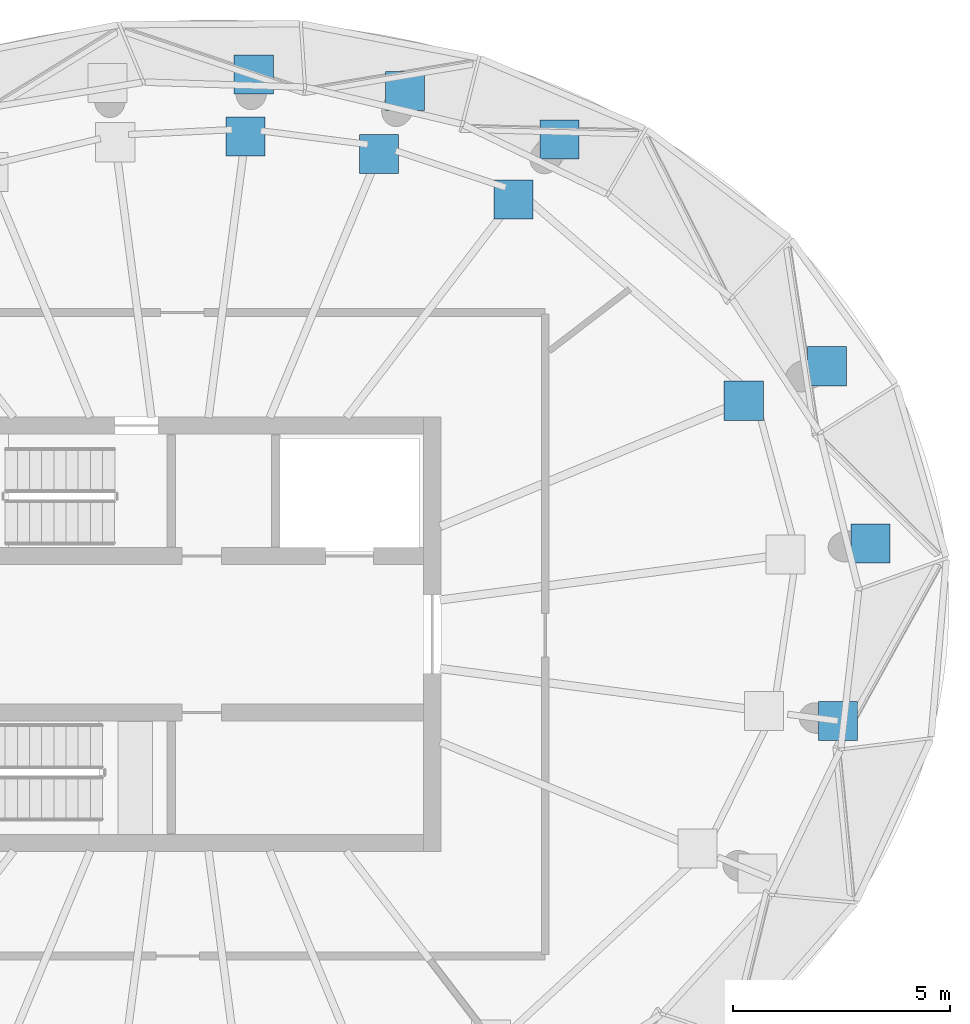
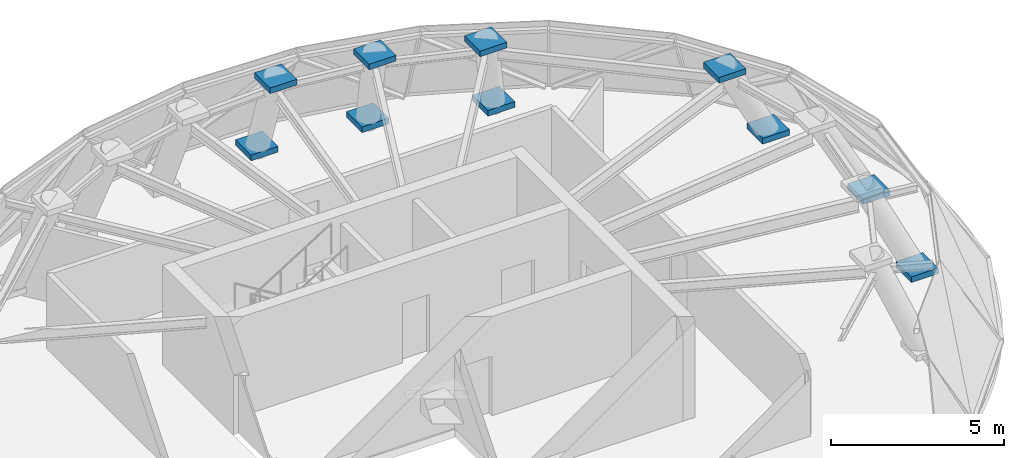
# One storey, part 8 of 9: 10 discrete accessories.
"""IFC4 building model written with IfcOpenShell, lengths in metres."""

from ifc_helpers import new_model, si_unit, direction, frame, origin, origin_2d, place, context, subcontext, project, spatial, rectangle, extrude, source, transform, mapped, material, layer, layer_set, type_object, element, save


model = new_model("IFC4")

# Units and contexts
model_context = context("Model", 3, precision=1e-05, world=origin(), true_north=direction((0.0, 1.0)))
body_context = subcontext(model_context, "Body", "Model", "MODEL_VIEW")
ifc_project = project(units=[si_unit("LENGTHUNIT", "METRE"), si_unit("AREAUNIT", "SQUARE_METRE"), si_unit("VOLUMEUNIT", "CUBIC_METRE"), si_unit("PLANEANGLEUNIT", "RADIAN"), si_unit("MASSUNIT", "GRAM", prefix="KILO")], contexts=[model_context])

# Site, building, storey
site_placement = place(None, origin())
site = spatial("IfcSite", under=ifc_project, at=site_placement, CompositionType="ELEMENT")
building_placement = place(site_placement, origin())
building = spatial("IfcBuilding", under=site, at=building_placement, Name="Spindrift Exchange Tower", CompositionType="ELEMENT")
storey_placement = place(building_placement, frame((0.0, 0.0, 276.60009765625)))
storey = spatial("IfcBuildingStorey", under=building, at=storey_placement, Name="L68", CompositionType="ELEMENT", Elevation=276.60009765625)

# Discrete accessories
ifc_material = material(Name="Steel Grade 350", Category="steel")
ifc_layer = layer(ifc_material, 0.89990234375)
ifc_layer_set = layer_set([ifc_layer], Name="Bearing shoe 900x900x200 Steel Grade 350")
discrete_accessory_type = type_object("IfcDiscreteAccessoryType", Name="Bearing shoe 900x900x200 Steel Grade 350", PredefinedType="USERDEFINED", material=ifc_layer_set)
shared_shape = source(origin(), body_context, "Body", "SweptSolid", [
    extrude(rectangle(XDim=0.89990234375, YDim=0.89990234375, at=origin_2d()), origin(), (0.0, 0.0, 1.0), 0.199951171875),
])
for number, where, z_axis, x_axis, name in (
    (1, (67.87890625, 50.090576171875, 0.17431640625), (0.0, 0.0, 1.0), (1.0, 0.0, 0.0), "L68 bearing shoe 01 foot"),
    (2, (66.88330078125, 54.164794921875, 0.181640625), (0.0, 0.0, 1.0), (1.0, 0.0, 0.0), "L68 bearing shoe 02 foot"),
    (3, (64.965087890625, 53.370361328125, 3.4814453125), (0.0, 0.0, 1.0), (1.0, 0.0, 0.0), "L68 bearing shoe 02 head"),
    (4, (60.730224609375, 59.37744140625, 0.15869140625), (0.0, 0.0, 1.0), (1.0, 0.0, 0.0), "L68 bearing shoe 04 foot"),
    (5, (59.671875, 57.998046875, 3.45849609375), (0.0, 0.0, 1.0), (1.0, 0.0, 0.0), "L68 bearing shoe 04 head"),
    (6, (57.174560546875, 60.4921875, 0.1455078125), (0.0, 0.0, 1.0), (1.0, 0.0, 0.0), "L68 bearing shoe 05 foot"),
    (7, (56.57568359375, 59.047119140625, 3.44580078125), (0.0, 0.0, 1.0), (1.0, 0.0, 0.0), "L68 bearing shoe 05 head"),
    (8, (53.6953125, 60.877197265625, 0.13623046875), (0.0, 0.0, 1.0), (1.0, 0.0, 0.0), "L68 bearing shoe 06 foot"),
    (9, (53.50732421875, 59.4501953125, 3.43603515625), (0.0, 0.0, 1.0), (1.0, 0.0, 0.0), "L68 bearing shoe 06 head"),
    (10, (67.136474609375, 46.00732421875, 0.1572265625), (0.0, 0.0, 1.0), (1.0, 0.0, 0.0), "L68 bearing shoe 24 foot"),
):
    element("IfcDiscreteAccessory", number, at=place(storey_placement, frame(where, z_axis=z_axis, x_axis=x_axis)), inside=storey, type_object=discrete_accessory_type, Name=name, ObjectType="Bearing shoe", PredefinedType="USERDEFINED", context=body_context, shape_type="MappedRepresentation", body=[
        mapped(shared_shape, transform((0.0, 0.0, 0.0), scale=1.0)),
    ])

save(model, "model.ifc")
